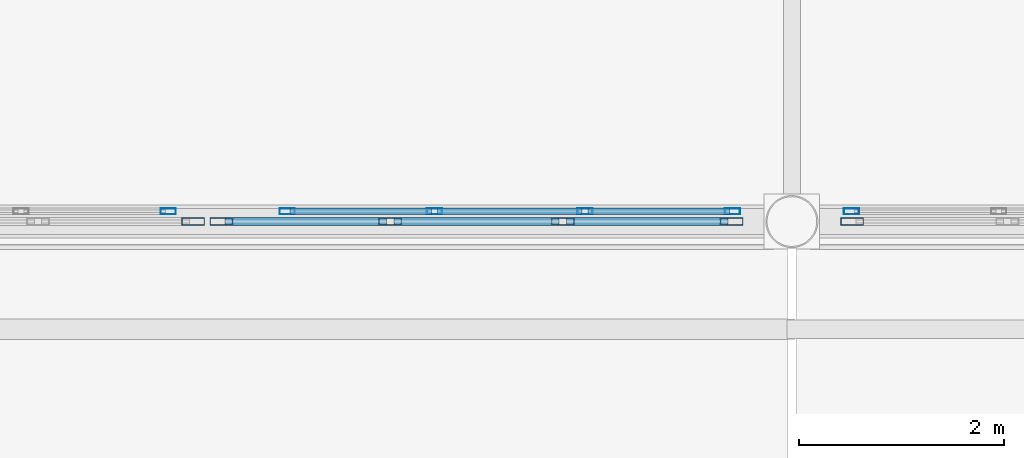
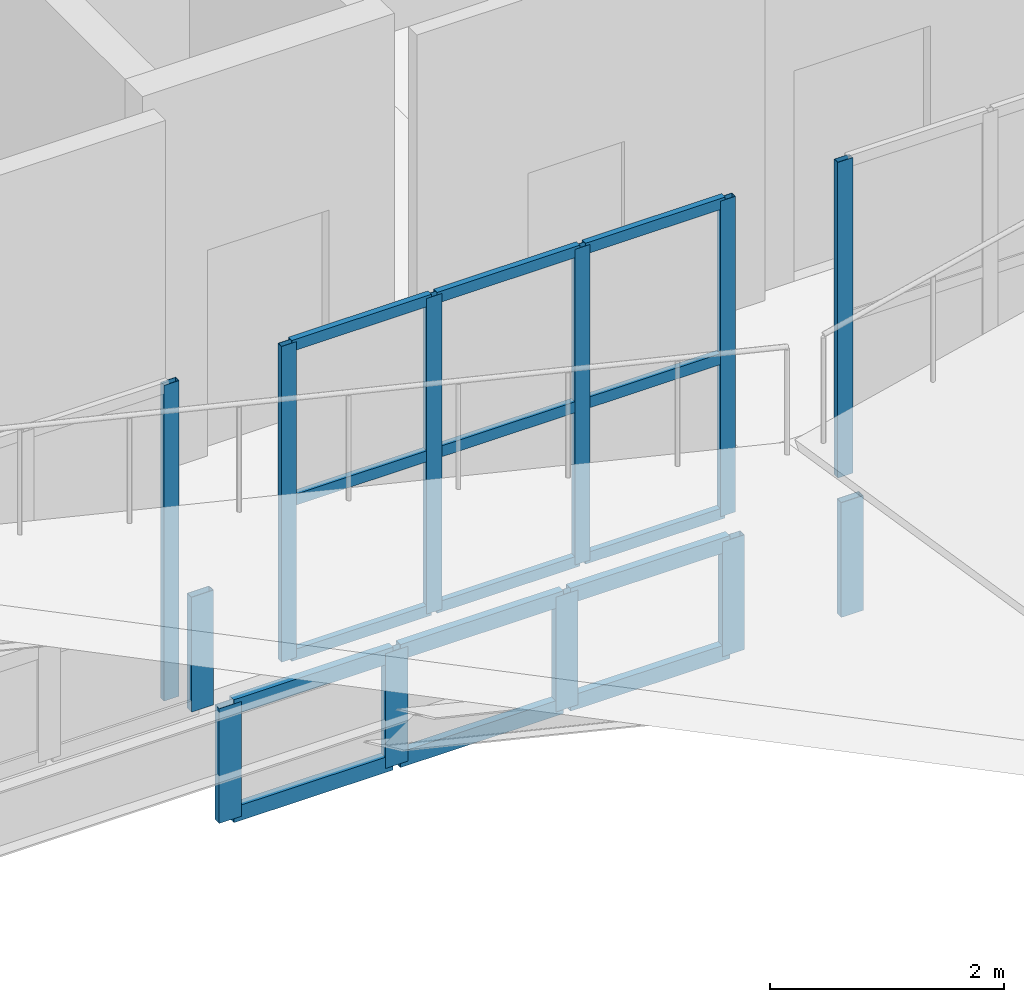
# One storey, part 22 of 120: 27 members, 6 elements without a shape of their own.
"""IFC4 building model written with IfcOpenShell, lengths in metres."""

import ifcopenshell
import ifcopenshell.guid

model = None  # the IFC model being written
_history = None  # IfcOwnerHistory: only IFC2X3 demands one
_inside = {}  # id of a spatial element -> (the spatial element, [elements in it])
_under = {}  # id of a project, library or spatial element -> (it, [spatial elements below it])
_declared = {}  # id of a project -> (the project, [libraries it declares])
_typed = {}  # id of a type object -> (the type object, [elements of that type])
_made_of = {}  # id of a material, layer set ... -> (it, [elements and type objects made of it])


def new_model(schema):
    """Start an empty IFC model of exactly this schema.

    Asked for "IFC4X3", IfcOpenShell would pick the latest addendum, in which some entities
    have other attributes; the version numbers below select the first issue.
    IFC2X3 requires an IfcOwnerHistory on every rooted entity: one is made here for all.
    """
    global model, _history
    if schema == "IFC4X3":
        model = ifcopenshell.file(schema_version=(4, 3, 0, 0))
    else:
        model = ifcopenshell.file(schema=schema)
    _inside.clear()
    _under.clear()
    _declared.clear()
    _typed.clear()
    _made_of.clear()
    _history = None
    if model.schema == "IFC2X3":
        org = make("IfcOrganization", Name="unknown")
        user = make(
            "IfcPersonAndOrganization",
            ThePerson=make("IfcPerson", FamilyName="unknown"),
            TheOrganization=org,
        )
        app = make(
            "IfcApplication",
            ApplicationDeveloper=org,
            Version="unknown",
            ApplicationFullName="unknown",
            ApplicationIdentifier="unknown",
        )
        _history = make(
            "IfcOwnerHistory",
            OwningUser=user,
            OwningApplication=app,
            ChangeAction="ADDED",
            CreationDate=0,
        )
    return model


def make(cls, **values):
    """One entity of the class cls with the attributes given. An attribute that is None is left unset."""
    return model.create_entity(
        cls, **{name: value for name, value in values.items() if value is not None}
    )


def rooted(cls, **values):
    """An entity with a GlobalId (a new one), such as an element, a storey or a relation."""
    return make(cls, GlobalId=ifcopenshell.guid.new(), OwnerHistory=_history, **values)


def si_unit(unit_type, name, prefix=None):
    """IfcSIUnit, for example si_unit("LENGTHUNIT", "METRE", prefix="MILLI")."""
    return make("IfcSIUnit", UnitType=unit_type, Prefix=prefix, Name=name)


def assignment(units):
    """IfcUnitAssignment: the units of a project."""
    return None if units is None else make("IfcUnitAssignment", Units=units)


def point(xyz):
    """IfcCartesianPoint."""
    return None if xyz is None else make("IfcCartesianPoint", Coordinates=xyz)


def direction(xyz):
    """IfcDirection."""
    return None if xyz is None else make("IfcDirection", DirectionRatios=xyz)


def frame(location, z_axis=None, x_axis=None):
    """IfcAxis2Placement3D, a coordinate frame: its origin and axes. An axis left out is left unset."""
    return make(
        "IfcAxis2Placement3D",
        Location=point(location),
        Axis=direction(z_axis),
        RefDirection=direction(x_axis),
    )


def frame_2d(location, x_axis=None):
    """IfcAxis2Placement2D, a coordinate frame in the plane: its origin and x axis."""
    return make(
        "IfcAxis2Placement2D", Location=point(location), RefDirection=direction(x_axis)
    )


def origin():
    """The frame at (0, 0, 0) with its axes left unset."""
    return frame((0.0, 0.0, 0.0))


def origin_2d():
    """The frame at (0, 0) in the plane with its x axis left unset."""
    return frame_2d((0.0, 0.0))


def place(relative_to, where):
    """IfcLocalPlacement: puts the frame where relative to a parent placement (None: the world)."""
    return make(
        "IfcLocalPlacement", PlacementRelTo=relative_to, RelativePlacement=where
    )


def context(
    kind, dimensions, precision=None, world=None, true_north=None, identifier=None
):
    """IfcGeometricRepresentationContext, for example the 3D "Model" context."""
    return make(
        "IfcGeometricRepresentationContext",
        ContextIdentifier=identifier,
        ContextType=kind,
        CoordinateSpaceDimension=dimensions,
        Precision=precision,
        WorldCoordinateSystem=world,
        TrueNorth=true_north,
    )


def subcontext(parent, identifier, kind, view, scale=None):
    """IfcGeometricRepresentationSubContext, for example "Body" below "Model"."""
    return make(
        "IfcGeometricRepresentationSubContext",
        ContextIdentifier=identifier,
        ContextType=kind,
        ParentContext=parent,
        TargetScale=scale,
        TargetView=view,
    )


def project(units=None, contexts=None):
    """IfcProject with its units and contexts."""
    return rooted(
        "IfcProject",
        Name="project",
        RepresentationContexts=contexts,
        UnitsInContext=assignment(units),
    )


def spatial(cls, under=None, at=None, **own):
    """A site, building, storey or space (cls), placed at a placement, below another one or the project."""
    s = rooted(cls, ObjectPlacement=at, **own)
    if under is not None:
        _under.setdefault(under.id(), (under, []))[1].append(s)
    return s


def profile(cls, at=None, kind="AREA", **sizes):
    """A parametric profile (cls). Its sizes go by their IFC names, for example OverallWidth=200.0."""
    return make(cls, ProfileType=kind, Position=at, **sizes)


def hollow_rectangle(**sizes):
    """IfcRectangleHollowProfileDef."""
    return profile("IfcRectangleHollowProfileDef", **sizes)


def extrude(swept, where, along, depth):
    """IfcExtrudedAreaSolid: the profile swept, set in the frame where, extruded along a direction by depth."""
    return make(
        "IfcExtrudedAreaSolid",
        SweptArea=swept,
        Position=where,
        ExtrudedDirection=direction(along),
        Depth=depth,
    )


def shape(context_of_items, identifier, shape_type, items):
    """IfcShapeRepresentation: the items that make up one representation, for example the "Body"."""
    return make(
        "IfcShapeRepresentation",
        ContextOfItems=context_of_items,
        RepresentationIdentifier=identifier,
        RepresentationType=shape_type,
        Items=items,
    )


def material(Name=None, Category=None):
    """IfcMaterial."""
    return make("IfcMaterial", Name=Name, Category=Category)


def material_profile(
    of_material, cross_section, Name=None, Category=None, Priority=None
):
    """IfcMaterialProfile: a cross section and its material."""
    return make(
        "IfcMaterialProfile",
        Name=Name,
        Material=of_material,
        Profile=cross_section,
        Priority=Priority,
        Category=Category,
    )


def profile_set(profiles, Name=None, composite=None):
    """IfcMaterialProfileSet."""
    return make(
        "IfcMaterialProfileSet",
        Name=Name,
        MaterialProfiles=profiles,
        CompositeProfile=composite,
    )


def made_of(thing, what):
    """Note that an element or type object is made of a material, layer set ...; save() writes the relation."""
    if what is not None:
        _made_of.setdefault(what.id(), (what, []))[1].append(thing)
    return thing


def type_object(cls, material=None, **own):
    """A type object (cls), such as IfcWallType, which elements share."""
    return made_of(rooted(cls, **own), material)


def element(
    cls,
    number,
    at=None,
    inside=None,
    cuts=None,
    type_object=None,
    material=None,
    context=None,
    identifier="Body",
    shape_type=None,
    held_by="IfcProductDefinitionShape",
    body=None,
    shapes=None,
    **own,
):
    """One element of the class cls, such as IfcWall. Its Tag is "e" and its number.

    at: its placement. inside: the storey or other place that contains it. cuts: it is an
    opening in that element (IfcRelVoidsElement). A single representation is given by context,
    identifier, shape_type and body (its items); several are given by shapes. held_by: the class
    of the entity that holds the representations. save() writes the other relations.
    """
    e = rooted(cls, Tag="e%d" % number, ObjectPlacement=at, **own)
    if body is not None:
        shapes = [shape(context, identifier, shape_type, body)]
    if shapes is not None:
        e.Representation = make(held_by, Representations=shapes)
    if inside is not None:
        _inside.setdefault(inside.id(), (inside, []))[1].append(e)
    if cuts is not None:
        rooted(
            "IfcRelVoidsElement", RelatingBuildingElement=cuts, RelatedOpeningElement=e
        )
    if type_object is not None:
        _typed.setdefault(type_object.id(), (type_object, []))[1].append(e)
    return made_of(e, material)


def aggregate(whole, parts):
    """IfcRelAggregates: a whole, such as a stair, and the parts it consists of."""
    return rooted("IfcRelAggregates", RelatingObject=whole, RelatedObjects=parts)


def save(model, path):
    """Write the relations noted so far, then the file.

    IfcRelAggregates (storeys below a building ...), IfcRelContainedInSpatialStructure (elements
    in a storey), IfcRelDefinesByType, IfcRelAssociatesMaterial and IfcRelDeclares: one each for
    every whole, place, type object, material and project.
    """
    for whole, parts in _under.values():
        aggregate(whole, parts)
    for where, things in _inside.values():
        rooted(
            "IfcRelContainedInSpatialStructure",
            RelatedElements=things,
            RelatingStructure=where,
        )
    for kind, things in _typed.values():
        rooted("IfcRelDefinesByType", RelatedObjects=things, RelatingType=kind)
    for what, things in _made_of.values():
        rooted("IfcRelAssociatesMaterial", RelatedObjects=things, RelatingMaterial=what)
    for by, libraries in _declared.values():
        rooted("IfcRelDeclares", RelatingContext=by, RelatedDefinitions=libraries)
    model.write(path)


model = new_model("IFC4")

# Units and contexts
model_context = context("Model", 3, precision=1e-05, world=origin(), true_north=direction((0.0, 1.0)))
body_context = subcontext(model_context, "Body", "Model", "MODEL_VIEW")
ifc_project = project(units=[si_unit("LENGTHUNIT", "METRE"), si_unit("AREAUNIT", "SQUARE_METRE"), si_unit("VOLUMEUNIT", "CUBIC_METRE"), si_unit("PLANEANGLEUNIT", "RADIAN"), si_unit("MASSUNIT", "GRAM", prefix="KILO")], contexts=[model_context])

# Site, building, storey
site_placement = place(None, origin())
site = spatial("IfcSite", under=ifc_project, at=site_placement, CompositionType="ELEMENT")
building_placement = place(site_placement, origin())
building = spatial("IfcBuilding", under=site, at=building_placement, Name="Caurita Quay Ferry Terminal", CompositionType="ELEMENT")
storey_placement = place(building_placement, frame((0.0, 0.0, 9.89990234375)))
storey = spatial("IfcBuildingStorey", under=building, at=storey_placement, Name="L02", CompositionType="ELEMENT", Elevation=9.89990234375)

# Curtain wall, member
ifc_material_1 = material(Name="Laminated solar-control insulated glass", Category="glass")
curtain_wall_type_1 = type_object("IfcCurtainWallType", Name="CW-SYS-13", PredefinedType="NOTDEFINED", material=ifc_material_1)
curtain_wall_1_placement = place(storey_placement, origin())
curtain_wall_1 = element("IfcCurtainWall", 1, at=curtain_wall_1_placement, inside=storey, type_object=curtain_wall_type_1, Name="Mezzanine Hall Overlook Glazing 091", PredefinedType="NOTDEFINED")
ifc_material_2 = material(Name="Anodized aluminium 6063-T6", Category="aluminium")
ifc_material_profile_1 = material_profile(ifc_material_2, hollow_rectangle(XDim=0.06005859375, YDim=0.14990234375, WallThickness=0.00341796875, at=origin_2d()), Name="ALU-MUL-60X150")
ifc_profile_set_1 = profile_set([ifc_material_profile_1], Name="Anodized aluminium 6063-T6")
member_type_1 = type_object("IfcMemberType", Name="CW-MUL-150", PredefinedType="MULLION", material=ifc_profile_set_1)
member_1_placement = place(storey_placement, frame((15.919921875, 62.800048828125, 0.0), z_axis=(0.0, 0.0, 1.0), x_axis=(0.0, 1.0, 0.0)))
member_1 = element("IfcMember", 2, at=member_1_placement, type_object=member_type_1, Name="CW-MZL-091 Mullion 4", PredefinedType="MULLION", context=body_context, shape_type="SweptSolid", body=[
    extrude(hollow_rectangle(XDim=0.06005859375, YDim=0.14990234375, WallThickness=0.00341796875, at=origin_2d()), origin(), (0.0, 0.0, 1.0), 3.300048828125),
])
aggregate(curtain_wall_1, [member_1])

# Curtain wall, members
curtain_wall_2_placement = place(storey_placement, origin())
curtain_wall_2 = element("IfcCurtainWall", 3, at=curtain_wall_2_placement, inside=storey, type_object=curtain_wall_type_1, Name="Mezzanine Hall Overlook Glazing 092", PredefinedType="NOTDEFINED")
member_2_placement = place(storey_placement, frame((17.080078125, 62.800048828125, 0.0), z_axis=(0.0, 0.0, 1.0), x_axis=(0.0, 1.0, 0.0)))
member_2 = element("IfcMember", 4, at=member_2_placement, type_object=member_type_1, Name="CW-MZL-092 Mullion 1", PredefinedType="MULLION", context=body_context, shape_type="SweptSolid", body=[
    extrude(hollow_rectangle(XDim=0.06005859375, YDim=0.14990234375, WallThickness=0.00341796875, at=origin_2d()), origin(), (0.0, 0.0, 1.0), 3.300048828125),
])
member_3_placement = place(storey_placement, frame((18.5166015625, 62.800048828125, 0.0), z_axis=(0.0, 0.0, 1.0), x_axis=(0.0, 1.0, 0.0)))
member_3 = element("IfcMember", 5, at=member_3_placement, type_object=member_type_1, Name="CW-MZL-092 Mullion 2", PredefinedType="MULLION", context=body_context, shape_type="SweptSolid", body=[
    extrude(hollow_rectangle(XDim=0.06005859375, YDim=0.14990234375, WallThickness=0.00341796875, at=origin_2d()), origin(), (0.0, 0.0, 1.0), 3.300048828125),
])
member_4_placement = place(storey_placement, frame((19.9833984375, 62.800048828125, 0.0), z_axis=(0.0, 0.0, 1.0), x_axis=(0.0, 1.0, 0.0)))
member_4 = element("IfcMember", 6, at=member_4_placement, type_object=member_type_1, Name="CW-MZL-092 Mullion 3", PredefinedType="MULLION", context=body_context, shape_type="SweptSolid", body=[
    extrude(hollow_rectangle(XDim=0.06005859375, YDim=0.14990234375, WallThickness=0.00341796875, at=origin_2d()), origin(), (0.0, 0.0, 1.0), 3.300048828125),
])
member_5_placement = place(storey_placement, frame((21.419921875, 62.800048828125, 0.0), z_axis=(0.0, 0.0, 1.0), x_axis=(0.0, 1.0, 0.0)))
member_5 = element("IfcMember", 7, at=member_5_placement, type_object=member_type_1, Name="CW-MZL-092 Mullion 4", PredefinedType="MULLION", context=body_context, shape_type="SweptSolid", body=[
    extrude(hollow_rectangle(XDim=0.06005859375, YDim=0.14990234375, WallThickness=0.00341796875, at=origin_2d()), origin(), (0.0, 0.0, 1.0), 3.300048828125),
])

# Curtain wall, member
curtain_wall_3_placement = place(storey_placement, origin())
curtain_wall_3 = element("IfcCurtainWall", 8, at=curtain_wall_3_placement, inside=storey, type_object=curtain_wall_type_1, Name="Mezzanine Hall Overlook Glazing 093", PredefinedType="NOTDEFINED")
member_6_placement = place(storey_placement, frame((22.580078125, 62.800048828125, 0.0), z_axis=(0.0, 0.0, 1.0), x_axis=(0.0, 1.0, 0.0)))
member_6 = element("IfcMember", 9, at=member_6_placement, type_object=member_type_1, Name="CW-MZL-093 Mullion 1", PredefinedType="MULLION", context=body_context, shape_type="SweptSolid", body=[
    extrude(hollow_rectangle(XDim=0.06005859375, YDim=0.14990234375, WallThickness=0.00341796875, at=origin_2d()), origin(), (0.0, 0.0, 1.0), 3.300048828125),
])
aggregate(curtain_wall_3, [member_6])

curtain_wall_type_2 = type_object("IfcCurtainWallType", Name="CW-SYS-05", PredefinedType="NOTDEFINED", material=ifc_material_1)
curtain_wall_4_placement = place(storey_placement, origin())
curtain_wall_4 = element("IfcCurtainWall", 10, at=curtain_wall_4_placement, inside=storey, type_object=curtain_wall_type_2, Name="Folded Roof Clerestory FB-01-N3", PredefinedType="NOTDEFINED")
ifc_material_profile_2 = material_profile(ifc_material_2, hollow_rectangle(XDim=0.074951171875, YDim=0.219970703125, WallThickness=0.00390625, at=origin_2d()), Name="ALU-MUL-75X220")
ifc_profile_set_2 = profile_set([ifc_material_profile_2], Name="Anodized aluminium 6063-T6")
member_type_2 = type_object("IfcMemberType", Name="CW-MUL-220", PredefinedType="MULLION", material=ifc_profile_set_2)
member_7_placement = place(storey_placement, frame((16.16259765625, 62.699951171875, -0.122802734375), z_axis=(0.0, 0.0, 1.0), x_axis=(0.0, 1.0, 0.0)))
member_7 = element("IfcMember", 11, at=member_7_placement, type_object=member_type_2, Name="CW-CLR-007 Mullion 4", PredefinedType="MULLION", context=body_context, shape_type="SweptSolid", body=[
    extrude(hollow_rectangle(XDim=0.074951171875, YDim=0.219970703125, WallThickness=0.00390625, at=origin_2d()), origin(), (0.0, 0.0, 1.0), 1.199951171875),
])
aggregate(curtain_wall_4, [member_7])

# Curtain wall, members
curtain_wall_type_3 = type_object("IfcCurtainWallType", Name="CW-SYS-06", PredefinedType="NOTDEFINED", material=ifc_material_1)
curtain_wall_5_placement = place(storey_placement, origin())
curtain_wall_5 = element("IfcCurtainWall", 12, at=curtain_wall_5_placement, inside=storey, type_object=curtain_wall_type_3, Name="Folded Roof Clerestory FB-01-N4", PredefinedType="NOTDEFINED")
member_8_placement = place(storey_placement, frame((16.4375, 62.699951171875, -1.3828125), z_axis=(0.0, 0.0, 1.0), x_axis=(0.0, 1.0, 0.0)))
member_8 = element("IfcMember", 13, at=member_8_placement, type_object=member_type_2, Name="CW-CLR-008 Mullion 1", PredefinedType="MULLION", context=body_context, shape_type="SweptSolid", body=[
    extrude(hollow_rectangle(XDim=0.074951171875, YDim=0.219970703125, WallThickness=0.00390625, at=origin_2d()), origin(), (0.0, 0.0, 1.0), 1.199951171875),
])
member_9_placement = place(storey_placement, frame((18.083251953125, 62.699951171875, -1.3828125), z_axis=(0.0, 0.0, 1.0), x_axis=(0.0, 1.0, 0.0)))
member_9 = element("IfcMember", 14, at=member_9_placement, type_object=member_type_2, Name="CW-CLR-008 Mullion 2", PredefinedType="MULLION", context=body_context, shape_type="SweptSolid", body=[
    extrude(hollow_rectangle(XDim=0.074951171875, YDim=0.219970703125, WallThickness=0.00390625, at=origin_2d()), origin(), (0.0, 0.0, 1.0), 1.199951171875),
])
member_10_placement = place(storey_placement, frame((19.7666015625, 62.699951171875, -1.3828125), z_axis=(0.0, 0.0, 1.0), x_axis=(0.0, 1.0, 0.0)))
member_10 = element("IfcMember", 15, at=member_10_placement, type_object=member_type_2, Name="CW-CLR-008 Mullion 3", PredefinedType="MULLION", context=body_context, shape_type="SweptSolid", body=[
    extrude(hollow_rectangle(XDim=0.074951171875, YDim=0.219970703125, WallThickness=0.00390625, at=origin_2d()), origin(), (0.0, 0.0, 1.0), 1.199951171875),
])
member_11_placement = place(storey_placement, frame((21.41259765625, 62.699951171875, -1.3828125), z_axis=(0.0, 0.0, 1.0), x_axis=(0.0, 1.0, 0.0)))
member_11 = element("IfcMember", 16, at=member_11_placement, type_object=member_type_2, Name="CW-CLR-008 Mullion 4", PredefinedType="MULLION", context=body_context, shape_type="SweptSolid", body=[
    extrude(hollow_rectangle(XDim=0.074951171875, YDim=0.219970703125, WallThickness=0.00390625, at=origin_2d()), origin(), (0.0, 0.0, 1.0), 1.199951171875),
])

# Curtain wall, member
curtain_wall_6_placement = place(storey_placement, origin())
curtain_wall_6 = element("IfcCurtainWall", 17, at=curtain_wall_6_placement, inside=storey, type_object=curtain_wall_type_2, Name="Folded Roof Clerestory FB-02-N1", PredefinedType="NOTDEFINED")
member_12_placement = place(storey_placement, frame((22.58740234375, 62.699951171875, -1.3828125), z_axis=(0.0, 0.0, 1.0), x_axis=(0.0, 1.0, 0.0)))
member_12 = element("IfcMember", 18, at=member_12_placement, type_object=member_type_2, Name="CW-CLR-013 Mullion 1", PredefinedType="MULLION", context=body_context, shape_type="SweptSolid", body=[
    extrude(hollow_rectangle(XDim=0.074951171875, YDim=0.219970703125, WallThickness=0.00390625, at=origin_2d()), origin(), (0.0, 0.0, 1.0), 1.199951171875),
])
aggregate(curtain_wall_6, [member_12])

# Member
ifc_material_profile_3 = material_profile(ifc_material_2, hollow_rectangle(XDim=0.06005859375, YDim=0.114990234375, WallThickness=0.00341796875, at=origin_2d()), Name="ALU-TRN-60X115")
ifc_profile_set_3 = profile_set([ifc_material_profile_3], Name="Anodized aluminium 6063-T6")
member_type_3 = type_object("IfcMemberType", Name="CW-TRN-115", PredefinedType="USERDEFINED", material=ifc_profile_set_3)
member_13_placement = place(storey_placement, frame((17.10791015625, 62.800048828125, 0.030029296875), z_axis=(1.0, 0.0, 0.0), x_axis=(0.0, 1.0, 0.0)))
member_13 = element("IfcMember", 19, at=member_13_placement, type_object=member_type_3, Name="CW-MZL-092 Transom 1", ObjectType="TRANSOM", PredefinedType="USERDEFINED", context=body_context, shape_type="SweptSolid", body=[
    extrude(hollow_rectangle(XDim=0.06005859375, YDim=0.114990234375, WallThickness=0.00341796875, at=origin_2d()), origin(), (0.0, 0.0, 1.0), 1.380859375),
])

member_14_placement = place(storey_placement, frame((17.10791015625, 62.800048828125, 1.650146484375), z_axis=(1.0, 0.0, 0.0), x_axis=(0.0, 1.0, 0.0)))
member_14 = element("IfcMember", 20, at=member_14_placement, type_object=member_type_3, Name="CW-MZL-092 Transom 2", ObjectType="TRANSOM", PredefinedType="USERDEFINED", context=body_context, shape_type="SweptSolid", body=[
    extrude(hollow_rectangle(XDim=0.06005859375, YDim=0.114990234375, WallThickness=0.00341796875, at=origin_2d()), origin(), (0.0, 0.0, 1.0), 1.380859375),
])

member_15_placement = place(storey_placement, frame((17.10791015625, 62.800048828125, 3.27001953125), z_axis=(1.0, 0.0, 0.0), x_axis=(0.0, 1.0, 0.0)))
member_15 = element("IfcMember", 21, at=member_15_placement, type_object=member_type_3, Name="CW-MZL-092 Transom 3", ObjectType="TRANSOM", PredefinedType="USERDEFINED", context=body_context, shape_type="SweptSolid", body=[
    extrude(hollow_rectangle(XDim=0.06005859375, YDim=0.114990234375, WallThickness=0.00341796875, at=origin_2d()), origin(), (0.0, 0.0, 1.0), 1.380859375),
])

member_16_placement = place(storey_placement, frame((18.544677734375, 62.800048828125, 0.030029296875), z_axis=(1.0, 0.0, 0.0), x_axis=(0.0, 1.0, 0.0)))
member_16 = element("IfcMember", 22, at=member_16_placement, type_object=member_type_3, Name="CW-MZL-092 Transom 4", ObjectType="TRANSOM", PredefinedType="USERDEFINED", context=body_context, shape_type="SweptSolid", body=[
    extrude(hollow_rectangle(XDim=0.06005859375, YDim=0.114990234375, WallThickness=0.00341796875, at=origin_2d()), origin(), (0.0, 0.0, 1.0), 1.41064453125),
])

member_17_placement = place(storey_placement, frame((18.544677734375, 62.800048828125, 1.650146484375), z_axis=(1.0, 0.0, 0.0), x_axis=(0.0, 1.0, 0.0)))
member_17 = element("IfcMember", 23, at=member_17_placement, type_object=member_type_3, Name="CW-MZL-092 Transom 5", ObjectType="TRANSOM", PredefinedType="USERDEFINED", context=body_context, shape_type="SweptSolid", body=[
    extrude(hollow_rectangle(XDim=0.06005859375, YDim=0.114990234375, WallThickness=0.00341796875, at=origin_2d()), origin(), (0.0, 0.0, 1.0), 1.41064453125),
])

member_18_placement = place(storey_placement, frame((18.544677734375, 62.800048828125, 3.27001953125), z_axis=(1.0, 0.0, 0.0), x_axis=(0.0, 1.0, 0.0)))
member_18 = element("IfcMember", 24, at=member_18_placement, type_object=member_type_3, Name="CW-MZL-092 Transom 6", ObjectType="TRANSOM", PredefinedType="USERDEFINED", context=body_context, shape_type="SweptSolid", body=[
    extrude(hollow_rectangle(XDim=0.06005859375, YDim=0.114990234375, WallThickness=0.00341796875, at=origin_2d()), origin(), (0.0, 0.0, 1.0), 1.41064453125),
])

member_19_placement = place(storey_placement, frame((20.01123046875, 62.800048828125, 0.030029296875), z_axis=(1.0, 0.0, 0.0), x_axis=(0.0, 1.0, 0.0)))
member_19 = element("IfcMember", 25, at=member_19_placement, type_object=member_type_3, Name="CW-MZL-092 Transom 7", ObjectType="TRANSOM", PredefinedType="USERDEFINED", context=body_context, shape_type="SweptSolid", body=[
    extrude(hollow_rectangle(XDim=0.06005859375, YDim=0.114990234375, WallThickness=0.00341796875, at=origin_2d()), origin(), (0.0, 0.0, 1.0), 1.380859375),
])

member_20_placement = place(storey_placement, frame((20.01123046875, 62.800048828125, 1.650146484375), z_axis=(1.0, 0.0, 0.0), x_axis=(0.0, 1.0, 0.0)))
member_20 = element("IfcMember", 26, at=member_20_placement, type_object=member_type_3, Name="CW-MZL-092 Transom 8", ObjectType="TRANSOM", PredefinedType="USERDEFINED", context=body_context, shape_type="SweptSolid", body=[
    extrude(hollow_rectangle(XDim=0.06005859375, YDim=0.114990234375, WallThickness=0.00341796875, at=origin_2d()), origin(), (0.0, 0.0, 1.0), 1.380859375),
])

member_21_placement = place(storey_placement, frame((20.01123046875, 62.800048828125, 3.27001953125), z_axis=(1.0, 0.0, 0.0), x_axis=(0.0, 1.0, 0.0)))
member_21 = element("IfcMember", 27, at=member_21_placement, type_object=member_type_3, Name="CW-MZL-092 Transom 9", ObjectType="TRANSOM", PredefinedType="USERDEFINED", context=body_context, shape_type="SweptSolid", body=[
    extrude(hollow_rectangle(XDim=0.06005859375, YDim=0.114990234375, WallThickness=0.00341796875, at=origin_2d()), origin(), (0.0, 0.0, 1.0), 1.380859375),
])

aggregate(curtain_wall_2, [member_2, member_3, member_4, member_5, member_13, member_14, member_15, member_16, member_17, member_18, member_19, member_20, member_21])

ifc_material_profile_4 = material_profile(ifc_material_2, hollow_rectangle(XDim=0.074951171875, YDim=0.159912109375, WallThickness=0.00390625, at=origin_2d()), Name="ALU-TRN-75X160")
ifc_profile_set_4 = profile_set([ifc_material_profile_4], Name="Anodized aluminium 6063-T6")
member_type_4 = type_object("IfcMemberType", Name="CW-TRN-160", PredefinedType="USERDEFINED", material=ifc_profile_set_4)
member_22_placement = place(storey_placement, frame((16.472900390625, 62.699951171875, -1.345458984375), z_axis=(1.0, 0.0, 0.0), x_axis=(0.0, 1.0, 0.0)))
member_22 = element("IfcMember", 28, at=member_22_placement, type_object=member_type_4, Name="CW-CLR-008 Transom 1", ObjectType="TRANSOM", PredefinedType="USERDEFINED", context=body_context, shape_type="SweptSolid", body=[
    extrude(hollow_rectangle(XDim=0.074951171875, YDim=0.159912109375, WallThickness=0.00390625, at=origin_2d()), origin(), (0.0, 0.0, 1.0), 1.574951171875),
])

member_23_placement = place(storey_placement, frame((16.472900390625, 62.699951171875, -0.220458984375), z_axis=(1.0, 0.0, 0.0), x_axis=(0.0, 1.0, 0.0)))
member_23 = element("IfcMember", 29, at=member_23_placement, type_object=member_type_4, Name="CW-CLR-008 Transom 2", ObjectType="TRANSOM", PredefinedType="USERDEFINED", context=body_context, shape_type="SweptSolid", body=[
    extrude(hollow_rectangle(XDim=0.074951171875, YDim=0.159912109375, WallThickness=0.00390625, at=origin_2d()), origin(), (0.0, 0.0, 1.0), 1.574951171875),
])

member_24_placement = place(storey_placement, frame((18.118896484375, 62.699951171875, -1.345458984375), z_axis=(1.0, 0.0, 0.0), x_axis=(0.0, 1.0, 0.0)))
member_24 = element("IfcMember", 30, at=member_24_placement, type_object=member_type_4, Name="CW-CLR-008 Transom 3", ObjectType="TRANSOM", PredefinedType="USERDEFINED", context=body_context, shape_type="SweptSolid", body=[
    extrude(hollow_rectangle(XDim=0.074951171875, YDim=0.159912109375, WallThickness=0.00390625, at=origin_2d()), origin(), (0.0, 0.0, 1.0), 1.6123046875),
])

member_25_placement = place(storey_placement, frame((18.118896484375, 62.699951171875, -0.220458984375), z_axis=(1.0, 0.0, 0.0), x_axis=(0.0, 1.0, 0.0)))
member_25 = element("IfcMember", 31, at=member_25_placement, type_object=member_type_4, Name="CW-CLR-008 Transom 4", ObjectType="TRANSOM", PredefinedType="USERDEFINED", context=body_context, shape_type="SweptSolid", body=[
    extrude(hollow_rectangle(XDim=0.074951171875, YDim=0.159912109375, WallThickness=0.00390625, at=origin_2d()), origin(), (0.0, 0.0, 1.0), 1.6123046875),
])

member_26_placement = place(storey_placement, frame((19.80224609375, 62.699951171875, -1.345458984375), z_axis=(1.0, 0.0, 0.0), x_axis=(0.0, 1.0, 0.0)))
member_26 = element("IfcMember", 32, at=member_26_placement, type_object=member_type_4, Name="CW-CLR-008 Transom 5", ObjectType="TRANSOM", PredefinedType="USERDEFINED", context=body_context, shape_type="SweptSolid", body=[
    extrude(hollow_rectangle(XDim=0.074951171875, YDim=0.159912109375, WallThickness=0.00390625, at=origin_2d()), origin(), (0.0, 0.0, 1.0), 1.57470703125),
])

member_27_placement = place(storey_placement, frame((19.80224609375, 62.699951171875, -0.220458984375), z_axis=(1.0, 0.0, 0.0), x_axis=(0.0, 1.0, 0.0)))
member_27 = element("IfcMember", 33, at=member_27_placement, type_object=member_type_4, Name="CW-CLR-008 Transom 6", ObjectType="TRANSOM", PredefinedType="USERDEFINED", context=body_context, shape_type="SweptSolid", body=[
    extrude(hollow_rectangle(XDim=0.074951171875, YDim=0.159912109375, WallThickness=0.00390625, at=origin_2d()), origin(), (0.0, 0.0, 1.0), 1.57470703125),
])

aggregate(curtain_wall_5, [member_8, member_9, member_10, member_11, member_22, member_23, member_24, member_25, member_26, member_27])

save(model, "model.ifc")
